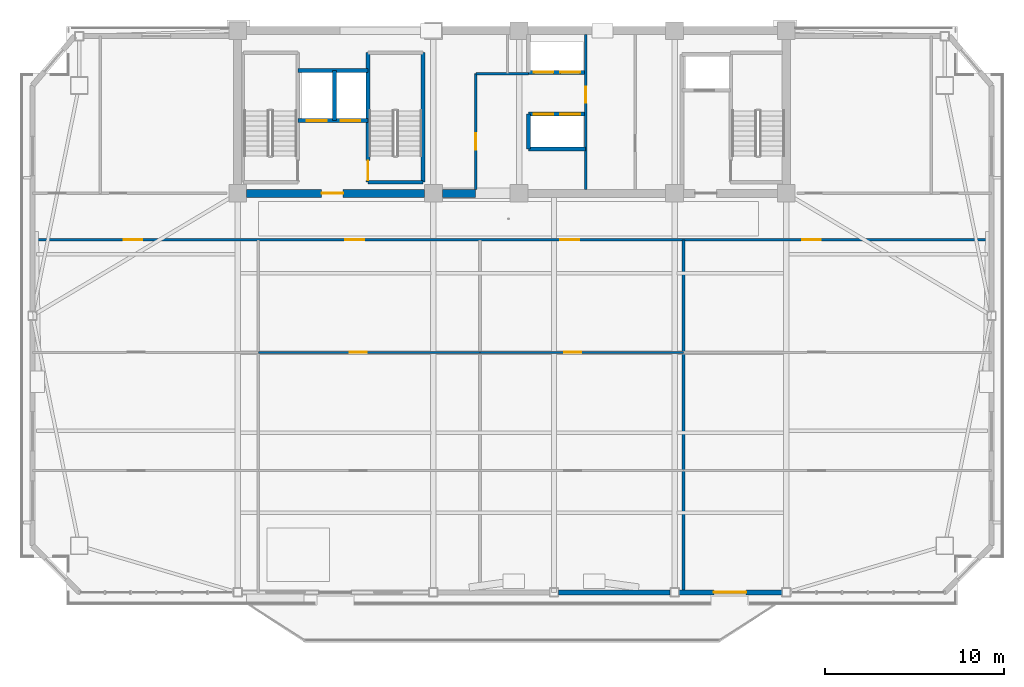
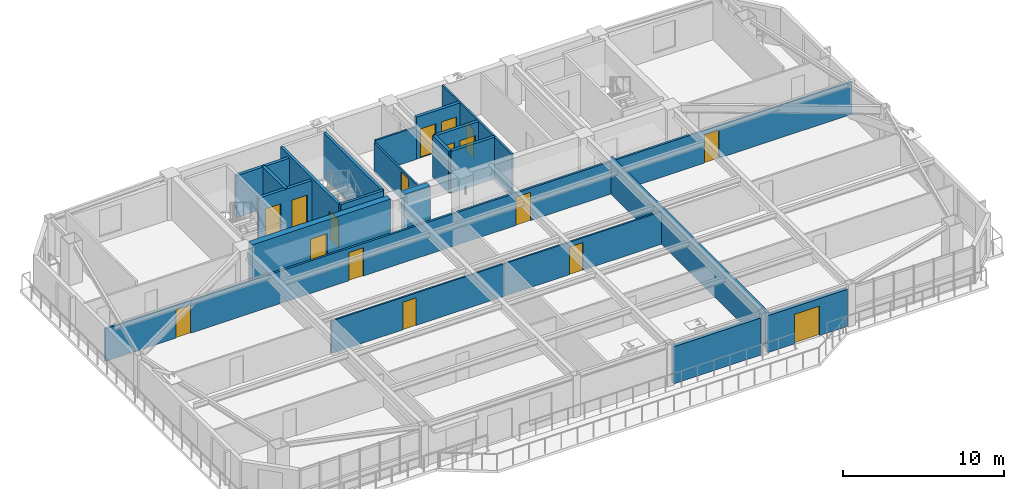
# One storey, part 9 of 17: 21 walls, 17 doors, 17 openings.
"""IFC4 building model written with IfcOpenShell, lengths in metres."""

from ifc_helpers import new_model, si_unit, direction, frame, frame_2d, origin, place, context, subcontext, project, spatial, rectangle, extrude, source, transform, mapped, material, layer, layer_set, type_object, element, fill, save


model = new_model("IFC4")

# Units and contexts
model_context = context("Model", 3, precision=1e-05, world=origin(), true_north=direction((0.0, 1.0)))
body_context = subcontext(model_context, "Body", "Model", "MODEL_VIEW")
ifc_project = project(units=[si_unit("LENGTHUNIT", "METRE"), si_unit("AREAUNIT", "SQUARE_METRE"), si_unit("VOLUMEUNIT", "CUBIC_METRE"), si_unit("PLANEANGLEUNIT", "RADIAN"), si_unit("MASSUNIT", "GRAM", prefix="KILO")], contexts=[model_context])

# Site, building, storey
site_placement = place(None, origin())
site = spatial("IfcSite", under=ifc_project, at=site_placement, CompositionType="ELEMENT")
building_placement = place(site_placement, origin())
building = spatial("IfcBuilding", under=site, at=building_placement, Name="Giltprow Tower", CompositionType="ELEMENT")
storey_placement = place(building_placement, frame((0.0, 0.0, 251.89990234375)))
storey = spatial("IfcBuildingStorey", under=building, at=storey_placement, Name="L64", CompositionType="ELEMENT", Elevation=251.89990234375)

# Wall
ifc_material_1 = material(Name="Precast concrete C40", Category="concrete")
ifc_layer_1 = layer(ifc_material_1, 0.280029296875, Name="Precast concrete C40")
ifc_layer_set_1 = layer_set([ifc_layer_1], Name="Precast concrete C40")
wall_type_1 = type_object("IfcWallType", Name="EW-TOW-BRONZE-280", PredefinedType="SOLIDWALL", material=ifc_layer_set_1)
wall_1_placement = place(storey_placement, frame((37.800048828125, 15.113037109375, 0.0), z_axis=(0.0, 0.0, 1.0), x_axis=(1.0, 0.0, 0.0)))
element("IfcWall", 1, at=wall_1_placement, inside=storey, type_object=wall_type_1, Name="L64 South Expressed Frame Wall 4", PredefinedType="SOLIDWALL", context=body_context, shape_type="SweptSolid", body=[
    extrude(rectangle(XDim=6.25, YDim=0.280029296875, at=frame_2d((3.125, 0.0))), origin(), (0.0, 0.0, 1.0), 2.815185546875),
])

# Wall, opening, door
wall_2_placement = place(storey_placement, frame((44.550048828125, 15.113037109375, 0.0), z_axis=(0.0, 0.0, 1.0), x_axis=(1.0, 0.0, 0.0)))
wall_2 = element("IfcWall", 2, at=wall_2_placement, inside=storey, type_object=wall_type_1, Name="L64 South Expressed Frame Wall 5", PredefinedType="SOLIDWALL", context=body_context, shape_type="SweptSolid", body=[
    extrude(rectangle(XDim=5.75, YDim=0.280029296875, at=frame_2d((2.875, 0.0))), origin(), (0.0, 0.0, 1.0), 2.815185546875),
])
opening_1_placement = place(wall_2_placement, frame((1.949951171875, 0.0, 0.0)))
opening_1 = element("IfcOpeningElement", 3, at=opening_1_placement, cuts=wall_2, Name="Opening ED25", PredefinedType="OPENING", context=body_context, shape_type="SweptSolid", body=[
    extrude(rectangle(XDim=1.800048828125, YDim=2.25, at=frame_2d((0.89990234375, 1.125))), frame((0.0, 0.14990234375, 0.0), z_axis=(0.0, -1.0, 0.0), x_axis=(1.0, 0.0, 0.0)), (0.0, 0.0, 1.0), 0.300048828125),
])
ifc_material_2 = material(Name="Anodized bronze and glass", Category="glass")
door_type_1 = type_object("IfcDoorType", Name="DR-BALC-SLIDE-1800", OperationType="SLIDING_TO_LEFT", PredefinedType="DOOR", material=ifc_material_2)
shared_shape_1 = source(origin(), body_context, "Body", "SweptSolid", [
    extrude(rectangle(XDim=1.800048828125, YDim=2.25, at=frame_2d((0.89990234375, 1.125))), frame((0.0, 0.02490234375, 0.0), z_axis=(0.0, -1.0, 0.0), x_axis=(1.0, 0.0, 0.0)), (0.0, 0.0, 1.0), 0.050048828125),
])
door_1_placement = place(opening_1_placement, origin())
door_1 = element("IfcDoor", 4, at=door_1_placement, inside=storey, type_object=door_type_1, Name="L64 Waterfront Balcony Sliding Door 2", OperationType="SLIDING_TO_LEFT", OverallHeight=2.25, OverallWidth=1.800048828125, PredefinedType="DOOR", context=body_context, shape_type="MappedRepresentation", body=[
    mapped(shared_shape_1, transform((0.0, 0.0, 0.0), x_axis=(1.0, 0.0, 0.0), y_axis=(0.0, 1.0, 0.0), z_axis=(0.0, 0.0, 1.0), scale=1.0)),
])
fill(opening_1, door_1)

# Wall, openings, doors
ifc_material_3 = material(Name="Gypsum stud partition", Category="gypsum")
ifc_layer_2 = layer(ifc_material_3, 0.14990234375, Name="Gypsum stud partition")
ifc_layer_set_2 = layer_set([ifc_layer_2], Name="Gypsum stud partition")
wall_type_2 = type_object("IfcWallType", Name="IW-CORR-150", PredefinedType="PARTITIONING", material=ifc_layer_set_2)
wall_3_placement = place(storey_placement, frame((8.364013671875, 34.85009765625, 0.0), z_axis=(0.0, 0.0, 1.0), x_axis=(1.0, 0.0, 0.0)))
wall_3 = element("IfcWall", 5, at=wall_3_placement, inside=storey, type_object=wall_type_2, Name="L64 Residence Gallery Corridor Wall", PredefinedType="PARTITIONING", context=body_context, shape_type="SweptSolid", body=[
    extrude(rectangle(XDim=53.673095703125, YDim=0.14990234375, at=frame_2d((26.83642578125, 0.0))), origin(), (0.0, 0.0, 1.0), 2.47021484375),
])
opening_2_placement = place(wall_3_placement, frame((5.094970703125, 0.0, 0.0)))
opening_2 = element("IfcOpeningElement", 6, at=opening_2_placement, cuts=wall_3, Name="Opening ID31", PredefinedType="OPENING", context=body_context, shape_type="SweptSolid", body=[
    extrude(rectangle(XDim=1.050048828125, YDim=2.14990234375, at=frame_2d((0.52490234375, 1.074951171875))), frame((0.0, 0.0849609375, 0.0), z_axis=(0.0, -1.0, 0.0), x_axis=(1.0, 0.0, 0.0)), (0.0, 0.0, 1.0), 0.169921875),
])
opening_3_placement = place(wall_3_placement, frame((17.51708984375, 0.0, 0.0)))
opening_3 = element("IfcOpeningElement", 7, at=opening_3_placement, cuts=wall_3, Name="Opening ID31", PredefinedType="OPENING", context=body_context, shape_type="SweptSolid", body=[
    extrude(rectangle(XDim=1.050048828125, YDim=2.14990234375, at=frame_2d((0.52490234375, 1.074951171875))), frame((0.0, 0.0849609375, 0.0), z_axis=(0.0, -1.0, 0.0), x_axis=(1.0, 0.0, 0.0)), (0.0, 0.0, 1.0), 0.169921875),
])
opening_4_placement = place(wall_3_placement, frame((29.537109375, 0.0, 0.0)))
opening_4 = element("IfcOpeningElement", 8, at=opening_4_placement, cuts=wall_3, Name="Opening ID31", PredefinedType="OPENING", context=body_context, shape_type="SweptSolid", body=[
    extrude(rectangle(XDim=1.050048828125, YDim=2.14990234375, at=frame_2d((0.52490234375, 1.074951171875))), frame((0.0, 0.0849609375, 0.0), z_axis=(0.0, -1.0, 0.0), x_axis=(1.0, 0.0, 0.0)), (0.0, 0.0, 1.0), 0.169921875),
])
opening_5_placement = place(wall_3_placement, frame((43.0791015625, 0.0, 0.0)))
opening_5 = element("IfcOpeningElement", 9, at=opening_5_placement, cuts=wall_3, Name="Opening ID31", PredefinedType="OPENING", context=body_context, shape_type="SweptSolid", body=[
    extrude(rectangle(XDim=1.050048828125, YDim=2.14990234375, at=frame_2d((0.52490234375, 1.074951171875))), frame((0.0, 0.0849609375, 0.0), z_axis=(0.0, -1.0, 0.0), x_axis=(1.0, 0.0, 0.0)), (0.0, 0.0, 1.0), 0.169921875),
])
ifc_material_4 = material(Name="Engineered timber", Category="wood")
door_type_2 = type_object("IfcDoorType", Name="DR-SUITE-1050", OperationType="SINGLE_SWING_LEFT", PredefinedType="DOOR", material=ifc_material_4)
shared_shape_2 = source(origin(), body_context, "Body", "SweptSolid", [
    extrude(rectangle(XDim=1.050048828125, YDim=2.14990234375, at=frame_2d((0.52490234375, 1.074951171875))), frame((0.0, 0.02490234375, 0.0), z_axis=(0.0, -1.0, 0.0), x_axis=(1.0, 0.0, 0.0)), (0.0, 0.0, 1.0), 0.050048828125),
])
door_2_placement = place(opening_2_placement, origin())
door_2 = element("IfcDoor", 10, at=door_2_placement, inside=storey, type_object=door_type_2, Name="L64 Gourmet Delicatessen Shop 1 North Door", OperationType="SINGLE_SWING_RIGHT", OverallHeight=2.14990234375, OverallWidth=1.050048828125, PredefinedType="DOOR", context=body_context, shape_type="MappedRepresentation", body=[
    mapped(shared_shape_2, transform((0.0, 0.0, 0.0), x_axis=(1.0, 0.0, 0.0), y_axis=(0.0, 1.0, 0.0), z_axis=(0.0, 0.0, 1.0), scale=1.0)),
])
fill(opening_2, door_2)
door_3_placement = place(opening_3_placement, origin())
door_3 = element("IfcDoor", 11, at=door_3_placement, inside=storey, type_object=door_type_2, Name="L64 Residents Sky Club Lounge North Door", OperationType="SINGLE_SWING_LEFT", OverallHeight=2.14990234375, OverallWidth=1.050048828125, PredefinedType="DOOR", context=body_context, shape_type="MappedRepresentation", body=[
    mapped(shared_shape_2, transform((0.0, 0.0, 0.0), x_axis=(1.0, 0.0, 0.0), y_axis=(0.0, 1.0, 0.0), z_axis=(0.0, 0.0, 1.0), scale=1.0)),
])
fill(opening_3, door_3)
door_4_placement = place(opening_4_placement, origin())
door_4 = element("IfcDoor", 12, at=door_4_placement, inside=storey, type_object=door_type_2, Name="L64 Residents Sky Club Lounge North Door", OperationType="SINGLE_SWING_RIGHT", OverallHeight=2.14990234375, OverallWidth=1.050048828125, PredefinedType="DOOR", context=body_context, shape_type="MappedRepresentation", body=[
    mapped(shared_shape_2, transform((0.0, 0.0, 0.0), x_axis=(1.0, 0.0, 0.0), y_axis=(0.0, 1.0, 0.0), z_axis=(0.0, 0.0, 1.0), scale=1.0)),
])
fill(opening_4, door_4)
door_5_placement = place(opening_5_placement, origin())
door_5 = element("IfcDoor", 13, at=door_5_placement, inside=storey, type_object=door_type_2, Name="L64 Artisan Bakery Shop 2 North Door", OperationType="SINGLE_SWING_LEFT", OverallHeight=2.14990234375, OverallWidth=1.050048828125, PredefinedType="DOOR", context=body_context, shape_type="MappedRepresentation", body=[
    mapped(shared_shape_2, transform((0.0, 0.0, 0.0), x_axis=(1.0, 0.0, 0.0), y_axis=(0.0, 1.0, 0.0), z_axis=(0.0, 0.0, 1.0), scale=1.0)),
])
fill(opening_5, door_5)

# Wall
ifc_layer_3 = layer(ifc_material_3, 0.159912109375, Name="Gypsum stud partition")
ifc_layer_set_3 = layer_set([ifc_layer_3], Name="Gypsum stud partition")
wall_type_3 = type_object("IfcWallType", Name="IW-DEMISE-160", PredefinedType="PARTITIONING", material=ifc_layer_set_3)
wall_4_placement = place(storey_placement, frame((44.800048828125, 15.113037109375, 0.0), z_axis=(0.0, 0.0, 1.0), x_axis=(0.0, 1.0, 0.0)))
element("IfcWall", 14, at=wall_4_placement, inside=storey, type_object=wall_type_3, Name="L64 Apartment Party Wall 3", PredefinedType="PARTITIONING", context=body_context, shape_type="SweptSolid", body=[
    extrude(rectangle(XDim=19.737060546875, YDim=0.159912109375, at=frame_2d((9.86865234375, 0.0))), origin(), (0.0, 0.0, 1.0), 2.77001953125),
])

# Wall, opening, door
ifc_layer_4 = layer(ifc_material_3, 0.1201171875, Name="Gypsum stud partition")
ifc_layer_set_4 = layer_set([ifc_layer_4], Name="Gypsum stud partition")
wall_type_4 = type_object("IfcWallType", Name="IW-ROOM-120", PredefinedType="PARTITIONING", material=ifc_layer_set_4)
wall_5_placement = place(storey_placement, frame((21.0, 28.5439453125, 0.0), z_axis=(0.0, 0.0, 1.0), x_axis=(1.0, 0.0, 0.0)))
wall_5 = element("IfcWall", 15, at=wall_5_placement, inside=storey, type_object=wall_type_4, Name="L64 Special Split 2", PredefinedType="PARTITIONING", context=body_context, shape_type="SweptSolid", body=[
    extrude(rectangle(XDim=12.39990234375, YDim=0.1201171875, at=frame_2d((6.199951171875, 0.0))), origin(), (0.0, 0.0, 1.0), 2.47021484375),
])
opening_6_placement = place(wall_5_placement, frame((5.1259765625, 0.0, 0.0)))
opening_6 = element("IfcOpeningElement", 16, at=opening_6_placement, cuts=wall_5, Name="Opening ID11", PredefinedType="OPENING", context=body_context, shape_type="SweptSolid", body=[
    extrude(rectangle(XDim=0.949951171875, YDim=2.10009765625, at=frame_2d((0.47509765625, 1.050048828125))), frame((0.0, 0.070068359375, 0.0), z_axis=(0.0, -1.0, 0.0), x_axis=(1.0, 0.0, 0.0)), (0.0, 0.0, 1.0), 0.14013671875),
])
door_type_3 = type_object("IfcDoorType", Name="DR-ROOM-950", OperationType="SINGLE_SWING_RIGHT", PredefinedType="DOOR", material=ifc_material_4)
shared_shape_3 = source(origin(), body_context, "Body", "SweptSolid", [
    extrude(rectangle(XDim=0.949951171875, YDim=2.10009765625, at=frame_2d((0.47509765625, 1.050048828125))), frame((0.0, 0.02490234375, 0.0), z_axis=(0.0, -1.0, 0.0), x_axis=(1.0, 0.0, 0.0)), (0.0, 0.0, 1.0), 0.050048828125),
])
door_6_placement = place(opening_6_placement, origin())
door_6 = element("IfcDoor", 17, at=door_6_placement, inside=storey, type_object=door_type_3, Name="L64 Residents Sky Club Lounge Mid Door", OperationType="SINGLE_SWING_RIGHT", OverallHeight=2.10009765625, OverallWidth=0.949951171875, PredefinedType="DOOR", context=body_context, shape_type="MappedRepresentation", body=[
    mapped(shared_shape_3, transform((0.0, 0.0, 0.0), x_axis=(1.0, 0.0, 0.0), y_axis=(0.0, 1.0, 0.0), z_axis=(0.0, 0.0, 1.0), scale=1.0)),
])
fill(opening_6, door_6)

wall_6_placement = place(storey_placement, frame((33.39990234375, 28.5439453125, 0.0), z_axis=(0.0, 0.0, 1.0), x_axis=(1.0, 0.0, 0.0)))
wall_6 = element("IfcWall", 18, at=wall_6_placement, inside=storey, type_object=wall_type_4, Name="L64 Special Split 2", PredefinedType="PARTITIONING", context=body_context, shape_type="SweptSolid", body=[
    extrude(rectangle(XDim=11.400146484375, YDim=0.1201171875, at=frame_2d((5.7001953125, 0.0))), origin(), (0.0, 0.0, 1.0), 2.47021484375),
])
opening_7_placement = place(wall_6_placement, frame((4.72607421875, 0.0, 0.0)))
opening_7 = element("IfcOpeningElement", 19, at=opening_7_placement, cuts=wall_6, Name="Opening ID11", PredefinedType="OPENING", context=body_context, shape_type="SweptSolid", body=[
    extrude(rectangle(XDim=0.949951171875, YDim=2.10009765625, at=frame_2d((0.47509765625, 1.050048828125))), frame((0.0, 0.070068359375, 0.0), z_axis=(0.0, -1.0, 0.0), x_axis=(1.0, 0.0, 0.0)), (0.0, 0.0, 1.0), 0.14013671875),
])
door_7_placement = place(opening_7_placement, origin())
door_7 = element("IfcDoor", 20, at=door_7_placement, inside=storey, type_object=door_type_3, Name="L64 Residents Sky Club Lounge Mid Door", OperationType="SINGLE_SWING_LEFT", OverallHeight=2.10009765625, OverallWidth=0.949951171875, PredefinedType="DOOR", context=body_context, shape_type="MappedRepresentation", body=[
    mapped(shared_shape_3, transform((0.0, 0.0, 0.0), x_axis=(1.0, 0.0, 0.0), y_axis=(0.0, 1.0, 0.0), z_axis=(0.0, 0.0, 1.0), scale=1.0)),
])
fill(opening_7, door_7)

# Wall, openings, doors
ifc_material_5 = material(Name="Concrete C40", Category="concrete")
ifc_layer_5 = layer(ifc_material_5, 0.219970703125, Name="Concrete C40")
ifc_layer_set_5 = layer_set([ifc_layer_5], Name="Concrete C40")
wall_type_5 = type_object("IfcWallType", Name="IW-SHAFT-220", PredefinedType="SOLIDWALL", material=ifc_layer_set_5)
wall_7_placement = place(storey_placement, frame((23.219970703125, 41.52001953125, 0.0), z_axis=(0.0, 0.0, 1.0), x_axis=(1.0, 0.0, 0.0)))
wall_7 = element("IfcWall", 21, at=wall_7_placement, inside=storey, type_object=wall_type_5, Name="L64 FFL1 and Service Lift Front Wall", PredefinedType="SOLIDWALL", context=body_context, shape_type="SweptSolid", body=[
    extrude(rectangle(XDim=3.919921875, YDim=0.219970703125, at=frame_2d((1.9599609375, 0.0))), origin(), (0.0, 0.0, 1.0), 3.18505859375),
])
opening_8_placement = place(wall_7_placement, frame((0.5, 0.0, 0.0)))
opening_8 = element("IfcOpeningElement", 22, at=opening_8_placement, cuts=wall_7, Name="Opening LD-11", PredefinedType="OPENING", context=body_context, shape_type="SweptSolid", body=[
    extrude(rectangle(XDim=1.10009765625, YDim=2.199951171875, at=frame_2d((0.550048828125, 1.10009765625))), frame((0.0, 0.119873046875, 0.0), z_axis=(0.0, -1.0, 0.0), x_axis=(1.0, 0.0, 0.0)), (0.0, 0.0, 1.0), 0.239990234375),
])
opening_9_placement = place(wall_7_placement, frame((2.39990234375, 0.0, 0.0)))
opening_9 = element("IfcOpeningElement", 23, at=opening_9_placement, cuts=wall_7, Name="Opening LD-11", PredefinedType="OPENING", context=body_context, shape_type="SweptSolid", body=[
    extrude(rectangle(XDim=1.10009765625, YDim=2.199951171875, at=frame_2d((0.550048828125, 1.10009765625))), frame((0.0, 0.119873046875, 0.0), z_axis=(0.0, -1.0, 0.0), x_axis=(1.0, 0.0, 0.0)), (0.0, 0.0, 1.0), 0.239990234375),
])
ifc_material_6 = material(Name="Stainless steel", Category="steel")
door_type_4 = type_object("IfcDoorType", Name="DR-LIFT-LD1100", OperationType="SLIDING_TO_LEFT", PredefinedType="DOOR", material=ifc_material_6)
shared_shape_4 = source(origin(), body_context, "Body", "SweptSolid", [
    extrude(rectangle(XDim=1.10009765625, YDim=2.199951171875, at=frame_2d((0.550048828125, 1.10009765625))), frame((0.0, 0.02490234375, 0.0), z_axis=(0.0, -1.0, 0.0), x_axis=(1.0, 0.0, 0.0)), (0.0, 0.0, 1.0), 0.050048828125),
])
door_8_placement = place(opening_8_placement, origin())
door_8 = element("IfcDoor", 24, at=door_8_placement, inside=storey, type_object=door_type_4, Name="L64 FFL1 Landing Door", OperationType="SLIDING_TO_LEFT", OverallHeight=2.199951171875, OverallWidth=1.10009765625, PredefinedType="DOOR", context=body_context, shape_type="MappedRepresentation", body=[
    mapped(shared_shape_4, transform((0.0, 0.0, 0.0), x_axis=(1.0, 0.0, 0.0), y_axis=(0.0, 1.0, 0.0), z_axis=(0.0, 0.0, 1.0), scale=1.0)),
])
fill(opening_8, door_8)
door_9_placement = place(opening_9_placement, origin())
door_9 = element("IfcDoor", 25, at=door_9_placement, inside=storey, type_object=door_type_4, Name="L64 SVL1 Landing Door", OperationType="SLIDING_TO_LEFT", OverallHeight=2.199951171875, OverallWidth=1.10009765625, PredefinedType="DOOR", context=body_context, shape_type="MappedRepresentation", body=[
    mapped(shared_shape_4, transform((0.0, 0.0, 0.0), x_axis=(1.0, 0.0, 0.0), y_axis=(0.0, 1.0, 0.0), z_axis=(0.0, 0.0, 1.0), scale=1.0)),
])
fill(opening_9, door_9)

# Walls
wall_8_placement = place(storey_placement, frame((25.260009765625, 41.52001953125, 0.0), z_axis=(0.0, 0.0, 1.0), x_axis=(0.0, 1.0, 0.0)))
element("IfcWall", 26, at=wall_8_placement, inside=storey, type_object=wall_type_5, Name="L64 FFL1-SVL1 Shaft Divider", PredefinedType="SOLIDWALL", context=body_context, shape_type="SweptSolid", body=[
    extrude(rectangle(XDim=2.800048828125, YDim=0.219970703125, at=frame_2d((1.39990234375, 0.0))), origin(), (0.0, 0.0, 1.0), 3.18505859375),
])
wall_9_placement = place(storey_placement, frame((23.219970703125, 44.320068359375, 0.0), z_axis=(0.0, 0.0, 1.0), x_axis=(1.0, 0.0, 0.0)))
element("IfcWall", 27, at=wall_9_placement, inside=storey, type_object=wall_type_5, Name="L64 FFL1-SVL1 Back Shaft Wall", PredefinedType="SOLIDWALL", context=body_context, shape_type="SweptSolid", body=[
    extrude(rectangle(XDim=3.919921875, YDim=0.219970703125, at=frame_2d((1.9599609375, 0.0))), origin(), (0.0, 0.0, 1.0), 3.18505859375),
])

# Wall, openings, doors
wall_10_placement = place(storey_placement, frame((36.1201171875, 44.219970703125, 0.0), z_axis=(0.0, 0.0, 1.0), x_axis=(1.0, 0.0, 0.0)))
wall_10 = element("IfcWall", 28, at=wall_10_placement, inside=storey, type_object=wall_type_5, Name="L64 High-Rise Lift Shaft Front Wall N", PredefinedType="SOLIDWALL", context=body_context, shape_type="SweptSolid", body=[
    extrude(rectangle(XDim=3.199951171875, YDim=0.219970703125, at=frame_2d((1.60009765625, 0.0))), origin(), (0.0, 0.0, 1.0), 3.18505859375),
])
opening_10_placement = place(wall_10_placement, frame((0.300048828125, 0.0, 0.0)))
opening_10 = element("IfcOpeningElement", 29, at=opening_10_placement, cuts=wall_10, Name="Opening LD-11", PredefinedType="OPENING", context=body_context, shape_type="SweptSolid", body=[
    extrude(rectangle(XDim=1.10009765625, YDim=2.199951171875, at=frame_2d((0.550048828125, 1.10009765625))), frame((0.0, 0.119873046875, 0.0), z_axis=(0.0, -1.0, 0.0), x_axis=(1.0, 0.0, 0.0)), (0.0, 0.0, 1.0), 0.239990234375),
])
opening_11_placement = place(wall_10_placement, frame((1.7900390625, 0.0, 0.0)))
opening_11 = element("IfcOpeningElement", 30, at=opening_11_placement, cuts=wall_10, Name="Opening LD-11", PredefinedType="OPENING", context=body_context, shape_type="SweptSolid", body=[
    extrude(rectangle(XDim=1.10009765625, YDim=2.199951171875, at=frame_2d((0.550048828125, 1.10009765625))), frame((0.0, 0.119873046875, 0.0), z_axis=(0.0, -1.0, 0.0), x_axis=(1.0, 0.0, 0.0)), (0.0, 0.0, 1.0), 0.239990234375),
])
door_10_placement = place(opening_10_placement, origin())
door_10 = element("IfcDoor", 31, at=door_10_placement, inside=storey, type_object=door_type_4, Name="L64 PL-H1 Landing Door", OperationType="SLIDING_TO_LEFT", OverallHeight=2.199951171875, OverallWidth=1.10009765625, PredefinedType="DOOR", context=body_context, shape_type="MappedRepresentation", body=[
    mapped(shared_shape_4, transform((0.0, 0.0, 0.0), x_axis=(1.0, 0.0, 0.0), y_axis=(0.0, 1.0, 0.0), z_axis=(0.0, 0.0, 1.0), scale=1.0)),
])
fill(opening_10, door_10)
door_11_placement = place(opening_11_placement, origin())
door_11 = element("IfcDoor", 32, at=door_11_placement, inside=storey, type_object=door_type_4, Name="L64 PL-H2 Landing Door", OperationType="SLIDING_TO_LEFT", OverallHeight=2.199951171875, OverallWidth=1.10009765625, PredefinedType="DOOR", context=body_context, shape_type="MappedRepresentation", body=[
    mapped(shared_shape_4, transform((0.0, 0.0, 0.0), x_axis=(1.0, 0.0, 0.0), y_axis=(0.0, 1.0, 0.0), z_axis=(0.0, 0.0, 1.0), scale=1.0)),
])
fill(opening_11, door_11)

wall_11_placement = place(storey_placement, frame((36.1201171875, 41.8798828125, 0.0), z_axis=(0.0, 0.0, 1.0), x_axis=(1.0, 0.0, 0.0)))
wall_11 = element("IfcWall", 33, at=wall_11_placement, inside=storey, type_object=wall_type_5, Name="L64 High-Rise Lift Shaft Front Wall S", PredefinedType="SOLIDWALL", context=body_context, shape_type="SweptSolid", body=[
    extrude(rectangle(XDim=3.199951171875, YDim=0.219970703125, at=frame_2d((1.60009765625, 0.0))), origin(), (0.0, 0.0, 1.0), 3.18505859375),
])
opening_12_placement = place(wall_11_placement, frame((0.300048828125, 0.0, 0.0)))
opening_12 = element("IfcOpeningElement", 34, at=opening_12_placement, cuts=wall_11, Name="Opening LD-11", PredefinedType="OPENING", context=body_context, shape_type="SweptSolid", body=[
    extrude(rectangle(XDim=1.10009765625, YDim=2.199951171875, at=frame_2d((0.550048828125, 1.10009765625))), frame((0.0, 0.119873046875, 0.0), z_axis=(0.0, -1.0, 0.0), x_axis=(1.0, 0.0, 0.0)), (0.0, 0.0, 1.0), 0.239990234375),
])
opening_13_placement = place(wall_11_placement, frame((1.7900390625, 0.0, 0.0)))
opening_13 = element("IfcOpeningElement", 35, at=opening_13_placement, cuts=wall_11, Name="Opening LD-11", PredefinedType="OPENING", context=body_context, shape_type="SweptSolid", body=[
    extrude(rectangle(XDim=1.10009765625, YDim=2.199951171875, at=frame_2d((0.550048828125, 1.10009765625))), frame((0.0, 0.119873046875, 0.0), z_axis=(0.0, -1.0, 0.0), x_axis=(1.0, 0.0, 0.0)), (0.0, 0.0, 1.0), 0.239990234375),
])
door_12_placement = place(opening_12_placement, origin())
door_12 = element("IfcDoor", 36, at=door_12_placement, inside=storey, type_object=door_type_4, Name="L64 PL-H3 Landing Door", OperationType="SLIDING_TO_LEFT", OverallHeight=2.199951171875, OverallWidth=1.10009765625, PredefinedType="DOOR", context=body_context, shape_type="MappedRepresentation", body=[
    mapped(shared_shape_4, transform((0.0, 0.0, 0.0), x_axis=(1.0, 0.0, 0.0), y_axis=(0.0, 1.0, 0.0), z_axis=(0.0, 0.0, 1.0), scale=1.0)),
])
fill(opening_12, door_12)
door_13_placement = place(opening_13_placement, origin())
door_13 = element("IfcDoor", 37, at=door_13_placement, inside=storey, type_object=door_type_4, Name="L64 PL-H4 Landing Door", OperationType="SLIDING_TO_LEFT", OverallHeight=2.199951171875, OverallWidth=1.10009765625, PredefinedType="DOOR", context=body_context, shape_type="MappedRepresentation", body=[
    mapped(shared_shape_4, transform((0.0, 0.0, 0.0), x_axis=(1.0, 0.0, 0.0), y_axis=(0.0, 1.0, 0.0), z_axis=(0.0, 0.0, 1.0), scale=1.0)),
])
fill(opening_13, door_13)

# Walls
wall_12_placement = place(storey_placement, frame((36.1201171875, 39.919921875, 0.0), z_axis=(0.0, 0.0, 1.0), x_axis=(1.0, 0.0, 0.0)))
element("IfcWall", 38, at=wall_12_placement, inside=storey, type_object=wall_type_5, Name="L64 High-Rise South Lift Back Wall", PredefinedType="SOLIDWALL", context=body_context, shape_type="SweptSolid", body=[
    extrude(rectangle(XDim=3.199951171875, YDim=0.219970703125, at=frame_2d((1.60009765625, 0.0))), origin(), (0.0, 0.0, 1.0), 3.18505859375),
])
wall_13_placement = place(storey_placement, frame((36.1201171875, 39.919921875, 0.0), z_axis=(0.0, 0.0, 1.0), x_axis=(0.0, 1.0, 0.0)))
element("IfcWall", 39, at=wall_13_placement, inside=storey, type_object=wall_type_5, Name="L64 High-Rise South Lift West Closure", PredefinedType="SOLIDWALL", context=body_context, shape_type="SweptSolid", body=[
    extrude(rectangle(XDim=1.9599609375, YDim=0.219970703125, at=frame_2d((0.97998046875, 0.0))), origin(), (0.0, 0.0, 1.0), 3.18505859375),
])

# Wall, opening, door
ifc_layer_6 = layer(ifc_material_5, 0.199951171875, Name="Concrete C40")
ifc_layer_set_6 = layer_set([ifc_layer_6], Name="Concrete C40")
wall_type_6 = type_object("IfcWallType", Name="IW-STAIR-200", PredefinedType="SOLIDWALL", material=ifc_layer_set_6)
wall_14_placement = place(storey_placement, frame((27.139892578125, 38.070068359375, 0.0), z_axis=(0.0, 0.0, 1.0), x_axis=(0.0, 1.0, 0.0)))
wall_14 = element("IfcWall", 40, at=wall_14_placement, inside=storey, type_object=wall_type_6, Name="L64 Stair ST-2 West Bearing Wall", PredefinedType="SOLIDWALL", context=body_context, shape_type="SweptSolid", body=[
    extrude(rectangle(XDim=7.25, YDim=0.199951171875, at=frame_2d((3.625, 0.0))), origin(), (0.0, 0.0, 1.0), 3.400146484375),
])
opening_14_placement = place(wall_14_placement, frame((0.110107421875, 0.0, 0.0)))
opening_14 = element("IfcOpeningElement", 41, at=opening_14_placement, cuts=wall_14, Name="Opening ID33", PredefinedType="OPENING", context=body_context, shape_type="SweptSolid", body=[
    extrude(rectangle(XDim=1.10009765625, YDim=2.14990234375, at=frame_2d((0.550048828125, 1.074951171875))), frame((0.0, 0.10986328125, 0.0), z_axis=(0.0, -1.0, 0.0), x_axis=(1.0, 0.0, 0.0)), (0.0, 0.0, 1.0), 0.219970703125),
])
ifc_material_7 = material(Name="Steel fire leaf", Category="steel")
door_type_5 = type_object("IfcDoorType", Name="DR-STAIR-1100", OperationType="SINGLE_SWING_LEFT", PredefinedType="DOOR", material=ifc_material_7)
shared_shape_5 = source(origin(), body_context, "Body", "SweptSolid", [
    extrude(rectangle(XDim=1.10009765625, YDim=2.14990234375, at=frame_2d((0.550048828125, 1.074951171875))), frame((0.0, 0.02490234375, 0.0), z_axis=(0.0, -1.0, 0.0), x_axis=(1.0, 0.0, 0.0)), (0.0, 0.0, 1.0), 0.050048828125),
])
door_14_placement = place(opening_14_placement, origin())
door_14 = element("IfcDoor", 42, at=door_14_placement, inside=storey, type_object=door_type_5, Name="L64 Stair ST-2 Fire Door", OperationType="SINGLE_SWING_LEFT", OverallHeight=2.14990234375, OverallWidth=1.10009765625, PredefinedType="DOOR", context=body_context, shape_type="MappedRepresentation", body=[
    mapped(shared_shape_5, transform((0.0, 0.0, 0.0), x_axis=(1.0, 0.0, 0.0), y_axis=(0.0, 1.0, 0.0), z_axis=(0.0, 0.0, 1.0), scale=1.0)),
])
fill(opening_14, door_14)

# Walls
wall_15_placement = place(storey_placement, frame((30.219970703125, 38.070068359375, 0.0), z_axis=(0.0, 0.0, 1.0), x_axis=(0.0, 1.0, 0.0)))
element("IfcWall", 43, at=wall_15_placement, inside=storey, type_object=wall_type_6, Name="L64 Stair ST-2 East Bearing Wall", PredefinedType="SOLIDWALL", context=body_context, shape_type="SweptSolid", body=[
    extrude(rectangle(XDim=7.25, YDim=0.199951171875, at=frame_2d((3.625, 0.0))), origin(), (0.0, 0.0, 1.0), 3.400146484375),
])
wall_16_placement = place(storey_placement, frame((27.139892578125, 38.070068359375, 0.0), z_axis=(0.0, 0.0, 1.0), x_axis=(1.0, 0.0, 0.0)))
element("IfcWall", 44, at=wall_16_placement, inside=storey, type_object=wall_type_6, Name="L64 Stair ST-2 South Bearing Wall", PredefinedType="SOLIDWALL", context=body_context, shape_type="SweptSolid", body=[
    extrude(rectangle(XDim=3.080078125, YDim=0.199951171875, at=frame_2d((1.5400390625, 0.0))), origin(), (0.0, 0.0, 1.0), 3.400146484375),
])

# Wall, opening, door
ifc_material_8 = material(Name="Concrete C30", Category="concrete")
ifc_layer_7 = layer(ifc_material_8, 0.1298828125, Name="Concrete C30")
ifc_layer_set_7 = layer_set([ifc_layer_7], Name="Concrete C30")
wall_type_7 = type_object("IfcWallType", Name="IW-WET-130", PredefinedType="PARTITIONING", material=ifc_layer_set_7)
wall_17_placement = place(storey_placement, frame((33.179931640625, 37.655029296875, 0.0), z_axis=(0.0, 0.0, 1.0), x_axis=(0.0, 1.0, 0.0)))
wall_17 = element("IfcWall", 45, at=wall_17_placement, inside=storey, type_object=wall_type_7, Name="L64 Reclaimed West Core Wall", PredefinedType="PARTITIONING", context=body_context, shape_type="SweptSolid", body=[
    extrude(rectangle(XDim=6.494873046875, YDim=0.1298828125, at=frame_2d((3.24755859375, 0.0))), origin(), (0.0, 0.0, 1.0), 2.27001953125),
])
opening_15_placement = place(wall_17_placement, frame((2.2451171875, 0.0, 0.0)))
opening_15 = element("IfcOpeningElement", 46, at=opening_15_placement, cuts=wall_17, Name="Opening ID35", PredefinedType="OPENING", context=body_context, shape_type="SweptSolid", body=[
    extrude(rectangle(XDim=0.89990234375, YDim=2.10009765625, at=frame_2d((0.449951171875, 1.050048828125))), frame((0.0, 0.074951171875, 0.0), z_axis=(0.0, -1.0, 0.0), x_axis=(1.0, 0.0, 0.0)), (0.0, 0.0, 1.0), 0.14990234375),
])
door_type_6 = type_object("IfcDoorType", Name="DR-SHAFT-900", OperationType="SINGLE_SWING_LEFT", PredefinedType="DOOR", material=ifc_material_7)
shared_shape_6 = source(origin(), body_context, "Body", "SweptSolid", [
    extrude(rectangle(XDim=0.89990234375, YDim=2.10009765625, at=frame_2d((0.449951171875, 1.050048828125))), frame((0.0, 0.02490234375, 0.0), z_axis=(0.0, -1.0, 0.0), x_axis=(1.0, 0.0, 0.0)), (0.0, 0.0, 1.0), 0.050048828125),
])
door_15_placement = place(opening_15_placement, origin())
door_15 = element("IfcDoor", 47, at=door_15_placement, inside=storey, type_object=door_type_6, Name="L64 Core Staff Washroom Door", OperationType="SINGLE_SWING_LEFT", OverallHeight=2.10009765625, OverallWidth=0.89990234375, PredefinedType="DOOR", context=body_context, shape_type="MappedRepresentation", body=[
    mapped(shared_shape_6, transform((0.0, 0.0, 0.0), x_axis=(1.0, 0.0, 0.0), y_axis=(0.0, 1.0, 0.0), z_axis=(0.0, 0.0, 1.0), scale=1.0)),
])
fill(opening_15, door_15)

# Wall
wall_18_placement = place(storey_placement, frame((33.179931640625, 44.14990234375, 0.0), z_axis=(0.0, 0.0, 1.0), x_axis=(1.0, 0.0, 0.0)))
element("IfcWall", 48, at=wall_18_placement, inside=storey, type_object=wall_type_7, Name="L64 Reclaimed West Pocket Wall S", PredefinedType="PARTITIONING", context=body_context, shape_type="SweptSolid", body=[
    extrude(rectangle(XDim=2.940185546875, YDim=0.1298828125, at=frame_2d((1.47021484375, 0.0))), origin(), (0.0, 0.0, 1.0), 2.47021484375),
])

# Wall, opening, door
wall_19_placement = place(storey_placement, frame((39.320068359375, 37.655029296875, 0.0), z_axis=(0.0, 0.0, 1.0), x_axis=(0.0, 1.0, 0.0)))
wall_19 = element("IfcWall", 49, at=wall_19_placement, inside=storey, type_object=wall_type_7, Name="L64 Reclaimed East Core Wall", PredefinedType="PARTITIONING", context=body_context, shape_type="SweptSolid", body=[
    extrude(rectangle(XDim=8.68994140625, YDim=0.1298828125, at=frame_2d((4.344970703125, 0.0))), origin(), (0.0, 0.0, 1.0), 3.18505859375),
])
opening_16_placement = place(wall_19_placement, frame((4.864990234375, 0.0, 0.0)))
opening_16 = element("IfcOpeningElement", 50, at=opening_16_placement, cuts=wall_19, Name="Opening ID35", PredefinedType="OPENING", context=body_context, shape_type="SweptSolid", body=[
    extrude(rectangle(XDim=0.89990234375, YDim=2.10009765625, at=frame_2d((0.449951171875, 1.050048828125))), frame((0.0, 0.074951171875, 0.0), z_axis=(0.0, -1.0, 0.0), x_axis=(1.0, 0.0, 0.0)), (0.0, 0.0, 1.0), 0.14990234375),
])
door_16_placement = place(opening_16_placement, origin())
door_16 = element("IfcDoor", 51, at=door_16_placement, inside=storey, type_object=door_type_6, Name="L64 Core Laundry Room Door", OperationType="SINGLE_SWING_RIGHT", OverallHeight=2.10009765625, OverallWidth=0.89990234375, PredefinedType="DOOR", context=body_context, shape_type="MappedRepresentation", body=[
    mapped(shared_shape_6, transform((0.0, 0.0, 0.0), x_axis=(1.0, 0.0, 0.0), y_axis=(0.0, 1.0, 0.0), z_axis=(0.0, 0.0, 1.0), scale=1.0)),
])
fill(opening_16, door_16)

ifc_material_9 = material(Name="Concrete C50", Category="concrete")
ifc_layer_8 = layer(ifc_material_9, 0.449951171875, Name="Concrete C50")
ifc_layer_set_8 = layer_set([ifc_layer_8], Name="Concrete C50")
wall_type_8 = type_object("IfcWallType", Name="SW-INT-450-C50", PredefinedType="SHEAR", material=ifc_layer_set_8)
wall_20_placement = place(storey_placement, frame((20.35009765625, 37.449951171875, 0.0), z_axis=(0.0, 0.0, 1.0), x_axis=(1.0, 0.0, 0.0)))
wall_20 = element("IfcWall", 52, at=wall_20_placement, inside=storey, type_object=wall_type_8, Name="L64 South Rear Core Shear Wall West", PredefinedType="SHEAR", context=body_context, shape_type="SweptSolid", body=[
    extrude(rectangle(XDim=9.949951171875, YDim=0.449951171875, at=frame_2d((4.97509765625, 0.0))), origin(), (0.0, 0.0, 1.0), 3.18505859375),
])
opening_17_placement = place(wall_20_placement, frame((4.199951171875, 0.0, 0.0)))
opening_17 = element("IfcOpeningElement", 53, at=opening_17_placement, cuts=wall_20, Name="Opening ID19", PredefinedType="OPENING", context=body_context, shape_type="SweptSolid", body=[
    extrude(rectangle(XDim=1.199951171875, YDim=2.14990234375, at=frame_2d((0.60009765625, 1.074951171875))), frame((0.0, 0.23486328125, 0.0), z_axis=(0.0, -1.0, 0.0), x_axis=(1.0, 0.0, 0.0)), (0.0, 0.0, 1.0), 0.469970703125),
])
door_type_7 = type_object("IfcDoorType", Name="DR-FFLOBBY-1200", OperationType="SINGLE_SWING_RIGHT", PredefinedType="DOOR", material=ifc_material_7)
shared_shape_7 = source(origin(), body_context, "Body", "SweptSolid", [
    extrude(rectangle(XDim=1.199951171875, YDim=2.14990234375, at=frame_2d((0.60009765625, 1.074951171875))), frame((0.0, 0.02490234375, 0.0), z_axis=(0.0, -1.0, 0.0), x_axis=(1.0, 0.0, 0.0)), (0.0, 0.0, 1.0), 0.050048828125),
])
door_17_placement = place(opening_17_placement, origin())
door_17 = element("IfcDoor", 54, at=door_17_placement, inside=storey, type_object=door_type_7, Name="L64 West Firefighting Lobby Entry Door", OperationType="SINGLE_SWING_LEFT", OverallHeight=2.14990234375, OverallWidth=1.199951171875, PredefinedType="DOOR", context=body_context, shape_type="MappedRepresentation", body=[
    mapped(shared_shape_7, transform((0.0, 0.0, 0.0), x_axis=(1.0, 0.0, 0.0), y_axis=(0.0, 1.0, 0.0), z_axis=(0.0, 0.0, 1.0), scale=1.0)),
])
fill(opening_17, door_17)

# Wall
wall_21_placement = place(storey_placement, frame((31.300048828125, 37.449951171875, 0.0), z_axis=(0.0, 0.0, 1.0), x_axis=(1.0, 0.0, 0.0)))
element("IfcWall", 55, at=wall_21_placement, inside=storey, type_object=wall_type_8, Name="L64 South Rear Core Shear Wall Mid-West", PredefinedType="SHEAR", context=body_context, shape_type="SweptSolid", body=[
    extrude(rectangle(XDim=1.849853515625, YDim=0.449951171875, at=frame_2d((0.9248046875, 0.0))), origin(), (0.0, 0.0, 1.0), 3.18505859375),
])

save(model, "model.ifc")
